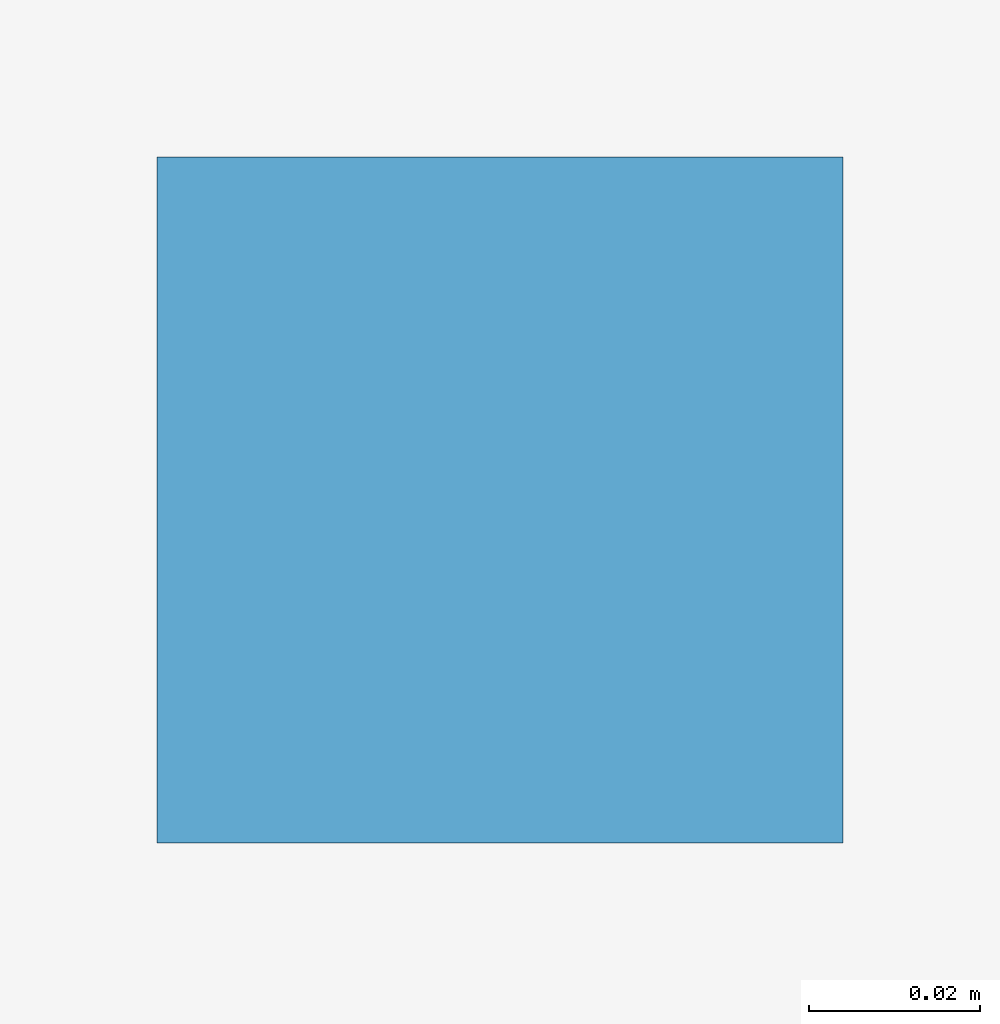
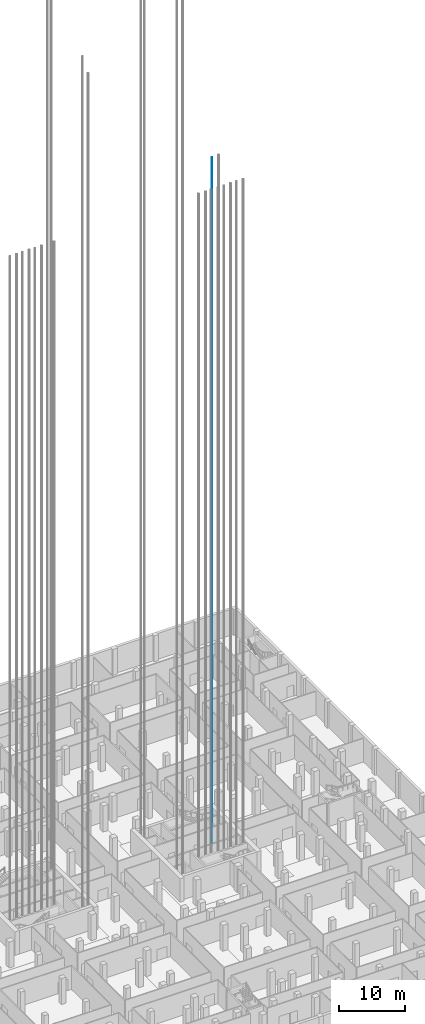
# One storey, part 50 of 54: 1 discrete accessory.
"""IFC4 building model written with IfcOpenShell, lengths in metres."""

from ifc_helpers import new_model, si_unit, direction, frame, origin, origin_2d, place, context, subcontext, project, spatial, rectangle, extrude, material, element, save


model = new_model("IFC4")

# Units and contexts
model_context = context("Model", 3, precision=1e-05, world=origin(), true_north=direction((0.0, 1.0)))
body_context = subcontext(model_context, "Body", "Model", "MODEL_VIEW")
ifc_project = project(units=[si_unit("LENGTHUNIT", "METRE"), si_unit("AREAUNIT", "SQUARE_METRE"), si_unit("VOLUMEUNIT", "CUBIC_METRE"), si_unit("PLANEANGLEUNIT", "RADIAN"), si_unit("MASSUNIT", "GRAM", prefix="KILO")], contexts=[model_context])

# Site, building, storey
site_placement = place(None, origin())
site = spatial("IfcSite", under=ifc_project, at=site_placement, CompositionType="ELEMENT")
building_placement = place(site_placement, origin())
building = spatial("IfcBuilding", under=site, at=building_placement, Name="Fustian Cross Tower", CompositionType="ELEMENT")
storey_placement = place(building_placement, frame((0.0, 0.0, -4.800048828125)))
storey = spatial("IfcBuildingStorey", under=building, at=storey_placement, Name="B1", CompositionType="ELEMENT", Elevation=-4.800048828125)

# Discrete accessory
ifc_material = material(Name="Steel S355", Category="steel")
discrete_accessory_placement = place(storey_placement, frame((19.27490234375, 3.7099609375, 0.0), z_axis=(0.0, 0.0, 1.0), x_axis=(1.0, 0.0, 0.0)))
element("IfcDiscreteAccessory", 1, at=discrete_accessory_placement, inside=storey, material=ifc_material, Name="Lift guide rail SH2 1", PredefinedType="NOTDEFINED", context=body_context, shape_type="SweptSolid", body=[
    extrude(rectangle(XDim=0.080078125, YDim=0.080078125, at=origin_2d()), origin(), (0.0, 0.0, 1.0), 127.14990234375),
])

save(model, "model.ifc")
